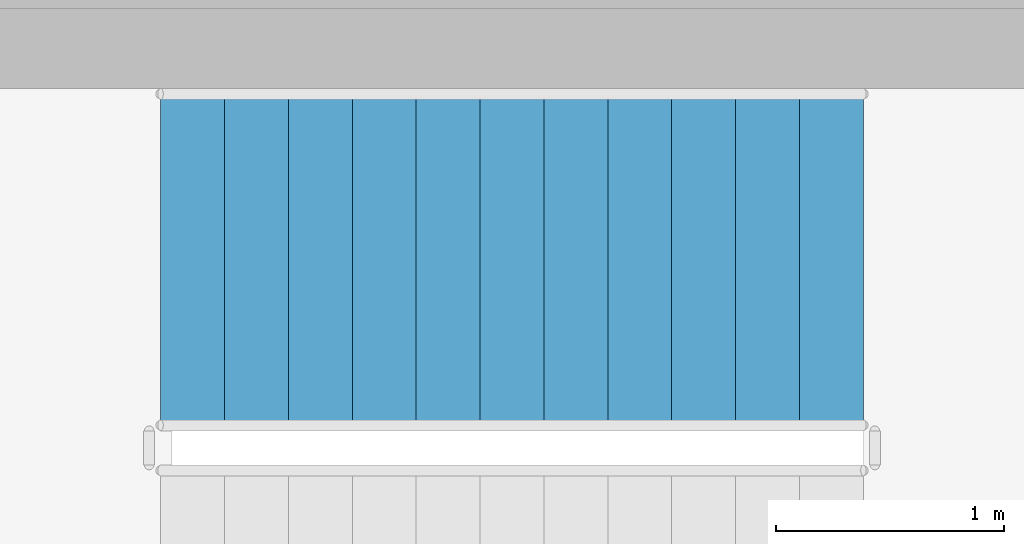
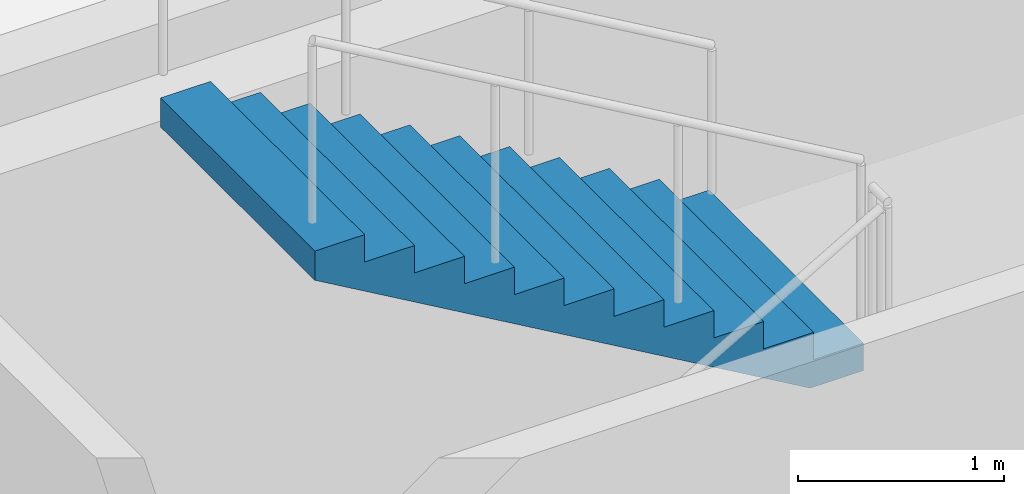
# One storey, part 82 of 95: 1 stair flight, 1 element without a shape of its own.
"""IFC4 building model written with IfcOpenShell, lengths in metres."""

from ifc_helpers import new_model, si_unit, direction, frame, origin, place, context, subcontext, project, spatial, triangles, material, type_object, element, aggregate, save


model = new_model("IFC4")

# Units and contexts
model_context = context("Model", 3, precision=1e-05, world=origin(), true_north=direction((0.0, 1.0)))
body_context = subcontext(model_context, "Body", "Model", "MODEL_VIEW")
ifc_project = project(units=[si_unit("LENGTHUNIT", "METRE"), si_unit("AREAUNIT", "SQUARE_METRE"), si_unit("VOLUMEUNIT", "CUBIC_METRE"), si_unit("PLANEANGLEUNIT", "RADIAN"), si_unit("MASSUNIT", "GRAM", prefix="KILO")], contexts=[model_context])

# Site, building, storey
site_placement = place(None, origin())
site = spatial("IfcSite", under=ifc_project, at=site_placement, CompositionType="ELEMENT")
building_placement = place(site_placement, origin())
building = spatial("IfcBuilding", under=site, at=building_placement, Name="Magnolia Steps Interchange", CompositionType="ELEMENT")
storey_placement = place(building_placement, frame((0.0, 0.0, 4.800048828125)))
storey = spatial("IfcBuildingStorey", under=building, at=storey_placement, Name="L01", CompositionType="ELEMENT", Elevation=4.800048828125)

# Stair, stair flight
ifc_material_1 = material(Name="Concrete C40", Category="concrete")
stair_type = type_object("IfcStairType", Name="Exit stair 1500", PredefinedType="HALF_TURN_STAIR", material=ifc_material_1)
stair_placement = place(storey_placement, origin())
stair = element("IfcStair", 1, at=stair_placement, inside=storey, type_object=stair_type, Name="L01 Stair 3", PredefinedType="HALF_TURN_STAIR")
ifc_material_2 = material(Name="Concrete C40", Category="concrete")
stair_flight_type = type_object("IfcStairFlightType", Name="Exit stair flight", PredefinedType="STRAIGHT", material=ifc_material_2)
stair_flight_placement = place(storey_placement, frame((115.280029296875, 84.35009765625, 1.949951171875), z_axis=(0.0, 0.0, 1.0), x_axis=(-1.0, 0.0, 0.0)))
stair_flight = element("IfcStairFlight", 2, at=stair_flight_placement, type_object=stair_flight_type, Name="Stair 3 flight 2", NumberOfRisers=12, NumberOfTreads=11, PredefinedType="STRAIGHT", RiserHeight=0.1625, TreadLength=0.28, context=body_context, shape_type="Tessellation", body=[
    triangles([(0.0, -0.75, 0.0), (0.298583984375, -0.75, 0.0), (3.080078125, -0.75, 1.6142578125), (3.080078125, -0.75, 1.78759765625), (2.800048828125, -0.75, 1.78759765625), (2.800048828125, -0.75, 1.625), (2.52001953125, -0.75, 1.625), (2.52001953125, -0.75, 1.46240234375), (2.239990234375, -0.75, 1.46240234375), (2.239990234375, -0.75, 1.300048828125), (1.9599609375, -0.75, 1.300048828125), (1.9599609375, -0.75, 1.137451171875), (1.679931640625, -0.75, 1.137451171875), (1.679931640625, -0.75, 0.97509765625), (1.39990234375, -0.75, 0.97509765625), (1.39990234375, -0.75, 0.8125), (1.1201171875, -0.75, 0.8125), (1.1201171875, -0.75, 0.64990234375), (0.840087890625, -0.75, 0.64990234375), (0.840087890625, -0.75, 0.487548828125), (0.56005859375, -0.75, 0.487548828125), (0.56005859375, -0.75, 0.324951171875), (0.280029296875, -0.75, 0.324951171875), (0.280029296875, -0.75, 0.16259765625), (0.0, -0.75, 0.16259765625), (0.0, 0.75, 0.0), (0.298583984375, 0.75, 0.0), (3.080078125, 0.75, 1.6142578125), (3.080078125, 0.75, 1.78759765625), (2.800048828125, 0.75, 1.78759765625), (2.800048828125, 0.75, 1.625), (2.52001953125, 0.75, 1.625), (2.52001953125, 0.75, 1.46240234375), (2.239990234375, 0.75, 1.46240234375), (2.239990234375, 0.75, 1.300048828125), (1.9599609375, 0.75, 1.300048828125), (1.9599609375, 0.75, 1.137451171875), (1.679931640625, 0.75, 1.137451171875), (1.679931640625, 0.75, 0.97509765625), (1.39990234375, 0.75, 0.97509765625), (1.39990234375, 0.75, 0.8125), (1.1201171875, 0.75, 0.8125), (1.1201171875, 0.75, 0.64990234375), (0.840087890625, 0.75, 0.64990234375), (0.840087890625, 0.75, 0.487548828125), (0.56005859375, 0.75, 0.487548828125), (0.56005859375, 0.75, 0.324951171875), (0.280029296875, 0.75, 0.324951171875), (0.280029296875, 0.75, 0.16259765625), (0.0, 0.75, 0.16259765625), (0.0, 0.0, 0.0), (0.0, 0.0, 0.0406494140625), (0.0, 0.0, 0.081298828125), (0.0, 0.0, 0.1219482421875), (0.0, 0.0, 0.16259765625), (0.0, -0.05, 0.0), (0.0, -0.05, 0.16259765625), (0.0, 0.05, 0.0), (0.0, 0.05, 0.16259765625), (0.046671549479166664, 0.0, 0.16259765625), (0.09334309895833333, 0.0, 0.16259765625), (0.1400146484375, 0.0, 0.16259765625), (0.18668619791666666, 0.0, 0.16259765625), (0.23335774739583334, 0.0, 0.16259765625), (0.280029296875, 0.0, 0.16259765625), (0.280029296875, -0.05, 0.16259765625), (0.280029296875, 0.05, 0.16259765625), (0.280029296875, 0.0, 0.20318603515625), (0.280029296875, 0.0, 0.2437744140625), (0.280029296875, 0.0, 0.28436279296875), (0.280029296875, 0.0, 0.324951171875), (0.280029296875, -0.05, 0.324951171875), (0.280029296875, 0.05, 0.324951171875), (0.3267008463541667, 0.0, 0.324951171875), (0.3733723958333333, 0.0, 0.324951171875), (0.4200439453125, 0.0, 0.324951171875), (0.46671549479166663, 0.0, 0.324951171875), (0.5133870442708334, 0.0, 0.324951171875), (0.56005859375, 0.0, 0.324951171875), (0.56005859375, -0.05, 0.324951171875), (0.56005859375, 0.05, 0.324951171875), (0.56005859375, 0.0, 0.3656005859375), (0.56005859375, 0.0, 0.40625), (0.56005859375, 0.0, 0.4468994140625), (0.56005859375, 0.0, 0.487548828125), (0.56005859375, -0.05, 0.487548828125), (0.56005859375, 0.05, 0.487548828125), (0.6067301432291666, 0.0, 0.487548828125), (0.6534016927083334, 0.0, 0.487548828125), (0.7000732421875, 0.0, 0.487548828125), (0.7467447916666666, 0.0, 0.487548828125), (0.7934163411458334, 0.0, 0.487548828125), (0.840087890625, 0.0, 0.487548828125), (0.840087890625, -0.05, 0.487548828125), (0.840087890625, 0.05, 0.487548828125), (0.840087890625, 0.0, 0.52813720703125), (0.840087890625, 0.0, 0.5687255859375), (0.840087890625, 0.0, 0.60931396484375), (0.840087890625, 0.0, 0.64990234375), (0.840087890625, -0.05, 0.64990234375), (0.840087890625, 0.05, 0.64990234375), (0.8867594401041666, 0.0, 0.64990234375), (0.9334309895833334, 0.0, 0.64990234375), (0.9801025390625, 0.0, 0.64990234375), (1.0267740885416667, 0.0, 0.64990234375), (1.0734456380208333, 0.0, 0.64990234375), (1.1201171875, 0.0, 0.64990234375), (1.1201171875, -0.05, 0.64990234375), (1.1201171875, 0.05, 0.64990234375), (1.1201171875, 0.0, 0.6905517578125), (1.1201171875, 0.0, 0.731201171875), (1.1201171875, 0.0, 0.7718505859375), (1.1201171875, 0.0, 0.8125), (1.1201171875, -0.05, 0.8125), (1.1201171875, 0.05, 0.8125), (1.1900634765625, 0.0, 0.8125), (1.260009765625, 0.0, 0.8125), (1.3299560546875, 0.0, 0.8125), (1.39990234375, 0.0, 0.8125), (1.39990234375, -0.05, 0.8125), (1.39990234375, 0.05, 0.8125), (1.39990234375, 0.0, 0.8531494140625), (1.39990234375, 0.0, 0.893798828125), (1.39990234375, 0.0, 0.9344482421875), (1.39990234375, 0.0, 0.97509765625), (1.39990234375, -0.05, 0.97509765625), (1.39990234375, 0.05, 0.97509765625), (1.4465738932291667, 0.0, 0.97509765625), (1.4932454427083333, 0.0, 0.97509765625), (1.5399169921875, 0.0, 0.97509765625), (1.5865885416666667, 0.0, 0.97509765625), (1.6332600911458333, 0.0, 0.97509765625), (1.679931640625, 0.0, 0.97509765625), (1.679931640625, -0.05, 0.97509765625), (1.679931640625, 0.05, 0.97509765625), (1.679931640625, 0.0, 1.01568603515625), (1.679931640625, 0.0, 1.0562744140625), (1.679931640625, 0.0, 1.09686279296875), (1.679931640625, 0.0, 1.137451171875), (1.679931640625, -0.05, 1.137451171875), (1.679931640625, 0.05, 1.137451171875), (1.7266031901041667, 0.0, 1.137451171875), (1.7732747395833333, 0.0, 1.137451171875), (1.8199462890625, 0.0, 1.137451171875), (1.8666178385416667, 0.0, 1.137451171875), (1.9132893880208333, 0.0, 1.137451171875), (1.9599609375, 0.0, 1.137451171875), (1.9599609375, -0.05, 1.137451171875), (1.9599609375, 0.05, 1.137451171875), (1.9599609375, 0.0, 1.1781005859375), (1.9599609375, 0.0, 1.21875), (1.9599609375, 0.0, 1.2593994140625), (1.9599609375, 0.0, 1.300048828125), (1.9599609375, -0.05, 1.300048828125), (1.9599609375, 0.05, 1.300048828125), (2.0066324869791665, 0.0, 1.300048828125), (2.0533040364583335, 0.0, 1.300048828125), (2.0999755859375, 0.0, 1.300048828125), (2.1466471354166665, 0.0, 1.300048828125), (2.1933186848958335, 0.0, 1.300048828125), (2.239990234375, 0.0, 1.300048828125), (2.239990234375, -0.05, 1.300048828125), (2.239990234375, 0.05, 1.300048828125), (2.239990234375, 0.0, 1.34063720703125), (2.239990234375, 0.0, 1.3812255859375), (2.239990234375, 0.0, 1.42181396484375), (2.239990234375, 0.0, 1.46240234375), (2.239990234375, -0.05, 1.46240234375), (2.239990234375, 0.05, 1.46240234375), (2.2866617838541665, 0.0, 1.46240234375), (2.3333333333333335, 0.0, 1.46240234375), (2.3800048828125, 0.0, 1.46240234375), (2.4266764322916665, 0.0, 1.46240234375), (2.4733479817708335, 0.0, 1.46240234375), (2.52001953125, 0.0, 1.46240234375), (2.52001953125, -0.05, 1.46240234375), (2.52001953125, 0.05, 1.46240234375), (2.52001953125, 0.0, 1.5030517578125), (2.52001953125, 0.0, 1.543701171875), (2.52001953125, 0.0, 1.5843505859375), (2.52001953125, 0.0, 1.625), (2.52001953125, -0.05, 1.625), (2.52001953125, 0.05, 1.625), (2.5666910807291665, 0.0, 1.625), (2.6133626302083335, 0.0, 1.625), (2.6600341796875, 0.0, 1.625), (2.7067057291666665, 0.0, 1.625), (2.7533772786458335, 0.0, 1.625), (2.800048828125, 0.0, 1.625), (2.800048828125, -0.05, 1.625), (2.800048828125, 0.05, 1.625), (2.800048828125, 0.0, 1.6656494140625), (2.800048828125, 0.0, 1.706298828125), (2.800048828125, 0.0, 1.7469482421875), (2.800048828125, 0.0, 1.78759765625), (2.800048828125, -0.05, 1.78759765625), (2.800048828125, 0.05, 1.78759765625), (2.8467203776041665, 0.0, 1.78759765625), (2.8933919270833335, 0.0, 1.78759765625), (2.9400634765625, 0.0, 1.78759765625), (2.9867350260416665, 0.0, 1.78759765625), (3.0334065755208335, 0.0, 1.78759765625), (3.080078125, 0.0, 1.78759765625), (3.080078125, -0.05, 1.78759765625), (3.080078125, 0.05, 1.78759765625), (3.080078125, 0.0, 1.7442626953125), (3.080078125, 0.0, 1.700927734375), (3.080078125, 0.0, 1.6575927734375), (3.080078125, 0.0, 1.6142578125), (3.080078125, -0.05, 1.6142578125), (3.080078125, 0.05, 1.6142578125), (3.0196108610733696, 0.0, 1.5791652513586956), (2.9591435971467392, 0.0, 1.5440726902173914), (2.898676333220109, 0.0, 1.508980129076087), (2.8382090692934785, 0.0, 1.4738875679347827), (2.7777418053668477, 0.0, 1.4387950067934783), (2.7172745414402173, 0.0, 1.4037024456521738), (2.656807277513587, 0.0, 1.3686098845108696), (2.5963400135869565, 0.0, 1.3335173233695652), (2.535872749660326, 0.0, 1.2984247622282608), (2.475405485733696, 0.0, 1.2633322010869565), (2.4149382218070654, 0.0, 1.228239639945652), (2.3544709578804346, 0.0, 1.193147078804348), (2.294003693953804, 0.0, 1.1580545176630435), (2.233536430027174, 0.0, 1.1229619565217392), (2.1730691661005435, 0.0, 1.0878693953804348), (2.112601902173913, 0.0, 1.0527768342391304), (2.0521346382472827, 0.0, 1.0176842730978262), (1.991667374320652, 0.0, 0.9825917119565217), (1.9312001103940217, 0.0, 0.9474991508152174), (1.8707328464673914, 0.0, 0.9124065896739131), (1.810265582540761, 0.0, 0.8773140285326086), (1.7497983186141304, 0.0, 0.8422214673913043), (1.6893310546875, 0.0, 0.80712890625), (1.6288637907608696, 0.0, 0.7720363451086957), (1.568396526834239, 0.0, 0.7369437839673914), (1.5079292629076086, 0.0, 0.7018512228260869), (1.4474619989809783, 0.0, 0.6667586616847826), (1.386994735054348, 0.0, 0.6316661005434783), (1.3265274711277173, 0.0, 0.5965735394021738), (1.266060207201087, 0.0, 0.5614809782608696), (1.2055929432744565, 0.0, 0.5263884171195652), (1.1451256793478262, 0.0, 0.491295855978261), (1.0846584154211956, 0.0, 0.45620329483695654), (1.0241911514945654, 0.0, 0.4211107336956521), (0.9637238875679346, 0.0, 0.3860181725543479), (0.9032566236413042, 0.0, 0.35092561141304346), (0.8427893597146738, 0.0, 0.315833050271739), (0.7823220957880435, 0.0, 0.2807404891304348), (0.7218548318614131, 0.0, 0.24564792798913038), (0.6613875679347827, 0.0, 0.21055536684782616), (0.6009203040081523, 0.0, 0.17546280570652173), (0.540453040081522, 0.0, 0.1403702445652173), (0.47998577615489113, 0.0, 0.10527768342391308), (0.41951851222826075, 0.0, 0.07018512228260865), (0.3590512483016304, 0.0, 0.035092561141304435), (0.298583984375, 0.0, 0.0), (0.298583984375, -0.05, 0.0), (0.298583984375, 0.05, 0.0), (0.24881998697916666, 0.0, 0.0), (0.19905598958333331, 0.0, 0.0), (0.1492919921875, 0.0, 0.0), (0.09952799479166666, 0.0, 0.0), (0.04976399739583334, 0.0, 0.0)], [[1, 2, 3], [3, 4, 5], [3, 5, 6], [3, 6, 7], [3, 7, 8], [8, 9, 10], [3, 8, 10], [10, 11, 12], [3, 10, 12], [12, 13, 14], [3, 12, 14], [14, 15, 16], [3, 14, 16], [16, 17, 18], [3, 16, 18], [18, 19, 20], [3, 18, 20], [20, 21, 22], [3, 20, 22], [1, 3, 22], [22, 23, 24], [1, 22, 24], [24, 25, 1], [26, 28, 27], [28, 30, 29], [28, 31, 30], [28, 32, 31], [28, 33, 32], [33, 35, 34], [28, 35, 33], [35, 37, 36], [28, 37, 35], [37, 39, 38], [28, 39, 37], [39, 41, 40], [28, 41, 39], [41, 43, 42], [28, 43, 41], [43, 45, 44], [28, 45, 43], [45, 47, 46], [28, 47, 45], [26, 47, 28], [47, 49, 48], [26, 49, 47], [49, 26, 50], [1, 25, 57], [1, 57, 56], [56, 52, 51], [56, 53, 52], [56, 57, 53], [57, 54, 53], [57, 55, 54], [26, 59, 50], [26, 58, 59], [58, 51, 52], [58, 52, 53], [58, 53, 59], [59, 53, 54], [59, 54, 55], [25, 24, 66], [25, 66, 57], [57, 60, 55], [57, 61, 60], [57, 62, 61], [57, 66, 62], [66, 63, 62], [66, 64, 63], [66, 65, 64], [50, 67, 49], [50, 59, 67], [59, 55, 60], [59, 60, 61], [59, 61, 62], [59, 62, 67], [67, 62, 63], [67, 63, 64], [67, 64, 65], [24, 23, 72], [24, 72, 66], [66, 68, 65], [66, 69, 68], [66, 72, 69], [72, 70, 69], [72, 71, 70], [49, 73, 48], [49, 67, 73], [67, 65, 68], [67, 68, 69], [67, 69, 73], [73, 69, 70], [73, 70, 71], [23, 22, 80], [23, 80, 72], [72, 74, 71], [72, 75, 74], [72, 76, 75], [72, 80, 76], [80, 77, 76], [80, 78, 77], [80, 79, 78], [48, 81, 47], [48, 73, 81], [73, 71, 74], [73, 74, 75], [73, 75, 76], [73, 76, 81], [81, 76, 77], [81, 77, 78], [81, 78, 79], [22, 21, 86], [22, 86, 80], [80, 82, 79], [80, 83, 82], [80, 86, 83], [86, 84, 83], [86, 85, 84], [47, 87, 46], [47, 81, 87], [81, 79, 82], [81, 82, 83], [81, 83, 87], [87, 83, 84], [87, 84, 85], [21, 20, 94], [21, 94, 86], [86, 88, 85], [86, 89, 88], [86, 90, 89], [86, 94, 90], [94, 91, 90], [94, 92, 91], [94, 93, 92], [46, 95, 45], [46, 87, 95], [87, 85, 88], [87, 88, 89], [87, 89, 90], [87, 90, 95], [95, 90, 91], [95, 91, 92], [95, 92, 93], [20, 19, 100], [20, 100, 94], [94, 96, 93], [94, 97, 96], [94, 100, 97], [100, 98, 97], [100, 99, 98], [45, 101, 44], [45, 95, 101], [95, 93, 96], [95, 96, 97], [95, 97, 101], [101, 97, 98], [101, 98, 99], [19, 18, 108], [19, 108, 100], [100, 102, 99], [100, 103, 102], [100, 104, 103], [100, 108, 104], [108, 105, 104], [108, 106, 105], [108, 107, 106], [44, 109, 43], [44, 101, 109], [101, 99, 102], [101, 102, 103], [101, 103, 104], [101, 104, 109], [109, 104, 105], [109, 105, 106], [109, 106, 107], [18, 17, 114], [18, 114, 108], [108, 110, 107], [108, 111, 110], [108, 114, 111], [114, 112, 111], [114, 113, 112], [43, 115, 42], [43, 109, 115], [109, 107, 110], [109, 110, 111], [109, 111, 115], [115, 111, 112], [115, 112, 113], [17, 16, 120], [17, 120, 114], [114, 116, 113], [114, 117, 116], [114, 120, 117], [120, 118, 117], [120, 119, 118], [42, 121, 41], [42, 115, 121], [115, 113, 116], [115, 116, 117], [115, 117, 121], [121, 117, 118], [121, 118, 119], [16, 15, 126], [16, 126, 120], [120, 122, 119], [120, 123, 122], [120, 126, 123], [126, 124, 123], [126, 125, 124], [41, 127, 40], [41, 121, 127], [121, 119, 122], [121, 122, 123], [121, 123, 127], [127, 123, 124], [127, 124, 125], [15, 14, 134], [15, 134, 126], [126, 128, 125], [126, 129, 128], [126, 130, 129], [126, 134, 130], [134, 131, 130], [134, 132, 131], [134, 133, 132], [40, 135, 39], [40, 127, 135], [127, 125, 128], [127, 128, 129], [127, 129, 130], [127, 130, 135], [135, 130, 131], [135, 131, 132], [135, 132, 133], [14, 13, 140], [14, 140, 134], [134, 136, 133], [134, 137, 136], [134, 140, 137], [140, 138, 137], [140, 139, 138], [39, 141, 38], [39, 135, 141], [135, 133, 136], [135, 136, 137], [135, 137, 141], [141, 137, 138], [141, 138, 139], [13, 12, 148], [13, 148, 140], [140, 142, 139], [140, 143, 142], [140, 144, 143], [140, 148, 144], [148, 145, 144], [148, 146, 145], [148, 147, 146], [38, 149, 37], [38, 141, 149], [141, 139, 142], [141, 142, 143], [141, 143, 144], [141, 144, 149], [149, 144, 145], [149, 145, 146], [149, 146, 147], [12, 11, 154], [12, 154, 148], [148, 150, 147], [148, 151, 150], [148, 154, 151], [154, 152, 151], [154, 153, 152], [37, 155, 36], [37, 149, 155], [149, 147, 150], [149, 150, 151], [149, 151, 155], [155, 151, 152], [155, 152, 153], [11, 10, 162], [11, 162, 154], [154, 156, 153], [154, 157, 156], [154, 158, 157], [154, 162, 158], [162, 159, 158], [162, 160, 159], [162, 161, 160], [36, 163, 35], [36, 155, 163], [155, 153, 156], [155, 156, 157], [155, 157, 158], [155, 158, 163], [163, 158, 159], [163, 159, 160], [163, 160, 161], [10, 9, 168], [10, 168, 162], [162, 164, 161], [162, 165, 164], [162, 168, 165], [168, 166, 165], [168, 167, 166], [35, 169, 34], [35, 163, 169], [163, 161, 164], [163, 164, 165], [163, 165, 169], [169, 165, 166], [169, 166, 167], [9, 8, 176], [9, 176, 168], [168, 170, 167], [168, 171, 170], [168, 172, 171], [168, 176, 172], [176, 173, 172], [176, 174, 173], [176, 175, 174], [34, 177, 33], [34, 169, 177], [169, 167, 170], [169, 170, 171], [169, 171, 172], [169, 172, 177], [177, 172, 173], [177, 173, 174], [177, 174, 175], [8, 7, 182], [8, 182, 176], [176, 178, 175], [176, 179, 178], [176, 182, 179], [182, 180, 179], [182, 181, 180], [33, 183, 32], [33, 177, 183], [177, 175, 178], [177, 178, 179], [177, 179, 183], [183, 179, 180], [183, 180, 181], [7, 6, 190], [7, 190, 182], [182, 184, 181], [182, 185, 184], [182, 186, 185], [182, 190, 186], [190, 187, 186], [190, 188, 187], [190, 189, 188], [32, 191, 31], [32, 183, 191], [183, 181, 184], [183, 184, 185], [183, 185, 186], [183, 186, 191], [191, 186, 187], [191, 187, 188], [191, 188, 189], [6, 5, 196], [6, 196, 190], [190, 192, 189], [190, 193, 192], [190, 196, 193], [196, 194, 193], [196, 195, 194], [31, 197, 30], [31, 191, 197], [191, 189, 192], [191, 192, 193], [191, 193, 197], [197, 193, 194], [197, 194, 195], [5, 4, 204], [5, 204, 196], [196, 198, 195], [196, 199, 198], [196, 200, 199], [196, 204, 200], [204, 201, 200], [204, 202, 201], [204, 203, 202], [30, 205, 29], [30, 197, 205], [197, 195, 198], [197, 198, 199], [197, 199, 200], [197, 200, 205], [205, 200, 201], [205, 201, 202], [205, 202, 203], [4, 3, 210], [4, 210, 204], [204, 206, 203], [204, 207, 206], [204, 210, 207], [210, 208, 207], [210, 209, 208], [29, 211, 28], [29, 205, 211], [205, 203, 206], [205, 206, 207], [205, 207, 211], [211, 207, 208], [211, 208, 209], [3, 2, 258], [3, 258, 210], [210, 212, 209], [210, 213, 212], [210, 214, 213], [210, 215, 214], [210, 216, 215], [210, 217, 216], [210, 218, 217], [210, 219, 218], [210, 220, 219], [210, 221, 220], [210, 222, 221], [210, 223, 222], [210, 224, 223], [210, 225, 224], [210, 226, 225], [210, 227, 226], [210, 228, 227], [210, 229, 228], [210, 230, 229], [210, 231, 230], [210, 232, 231], [210, 233, 232], [210, 234, 233], [210, 258, 234], [258, 235, 234], [258, 236, 235], [258, 237, 236], [258, 238, 237], [258, 239, 238], [258, 240, 239], [258, 241, 240], [258, 242, 241], [258, 243, 242], [258, 244, 243], [258, 245, 244], [258, 246, 245], [258, 247, 246], [258, 248, 247], [258, 249, 248], [258, 250, 249], [258, 251, 250], [258, 252, 251], [258, 253, 252], [258, 254, 253], [258, 255, 254], [258, 256, 255], [258, 257, 256], [28, 259, 27], [28, 211, 259], [211, 209, 212], [211, 212, 213], [211, 213, 214], [211, 214, 215], [211, 215, 216], [211, 216, 217], [211, 217, 218], [211, 218, 219], [211, 219, 220], [211, 220, 221], [211, 221, 222], [211, 222, 223], [211, 223, 224], [211, 224, 225], [211, 225, 226], [211, 226, 227], [211, 227, 228], [211, 228, 229], [211, 229, 230], [211, 230, 231], [211, 231, 232], [211, 232, 233], [211, 233, 234], [211, 234, 259], [259, 234, 235], [259, 235, 236], [259, 236, 237], [259, 237, 238], [259, 238, 239], [259, 239, 240], [259, 240, 241], [259, 241, 242], [259, 242, 243], [259, 243, 244], [259, 244, 245], [259, 245, 246], [259, 246, 247], [259, 247, 248], [259, 248, 249], [259, 249, 250], [259, 250, 251], [259, 251, 252], [259, 252, 253], [259, 253, 254], [259, 254, 255], [259, 255, 256], [259, 256, 257], [2, 1, 56], [2, 56, 258], [258, 260, 257], [258, 261, 260], [258, 262, 261], [258, 56, 262], [56, 263, 262], [56, 264, 263], [56, 51, 264], [27, 58, 26], [27, 259, 58], [259, 257, 260], [259, 260, 261], [259, 261, 262], [259, 262, 58], [58, 262, 263], [58, 263, 264], [58, 264, 51]], closed=True),
])
aggregate(stair, [stair_flight])

save(model, "model.ifc")
